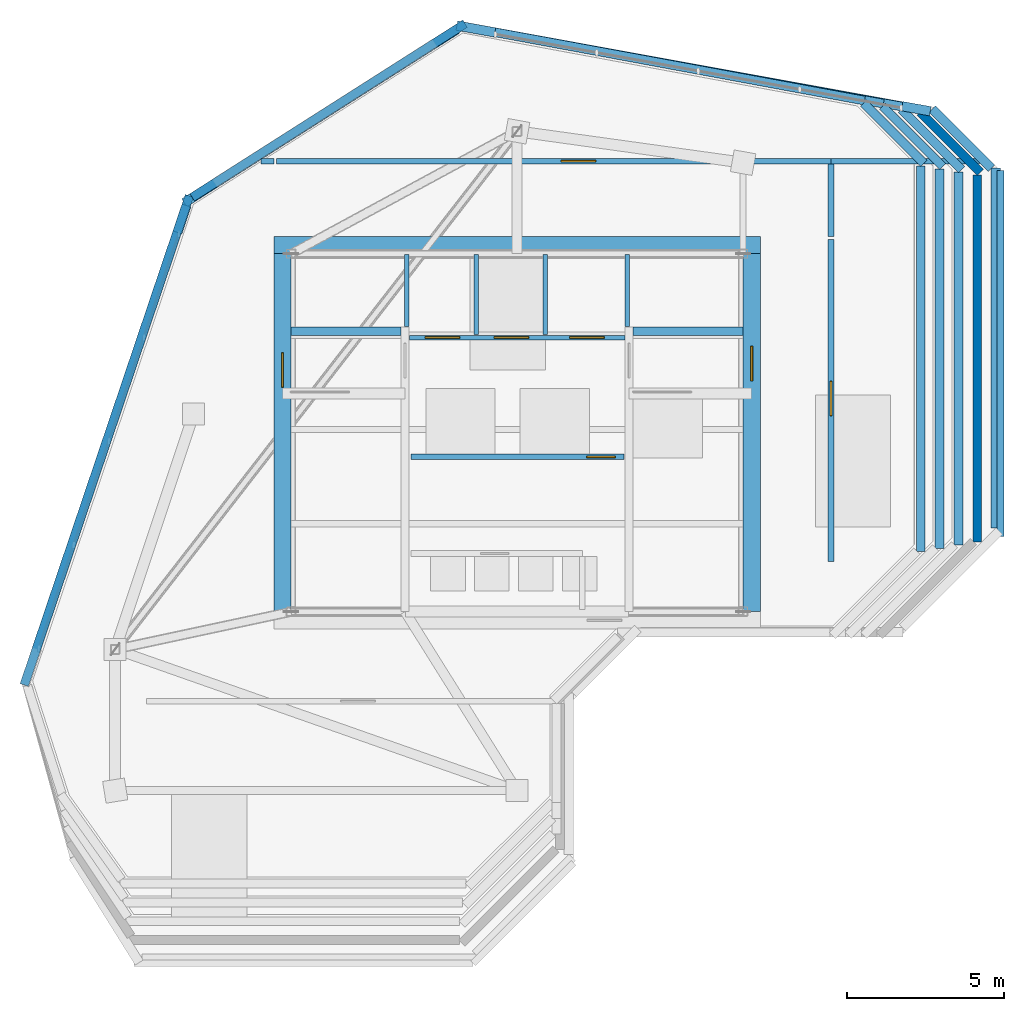
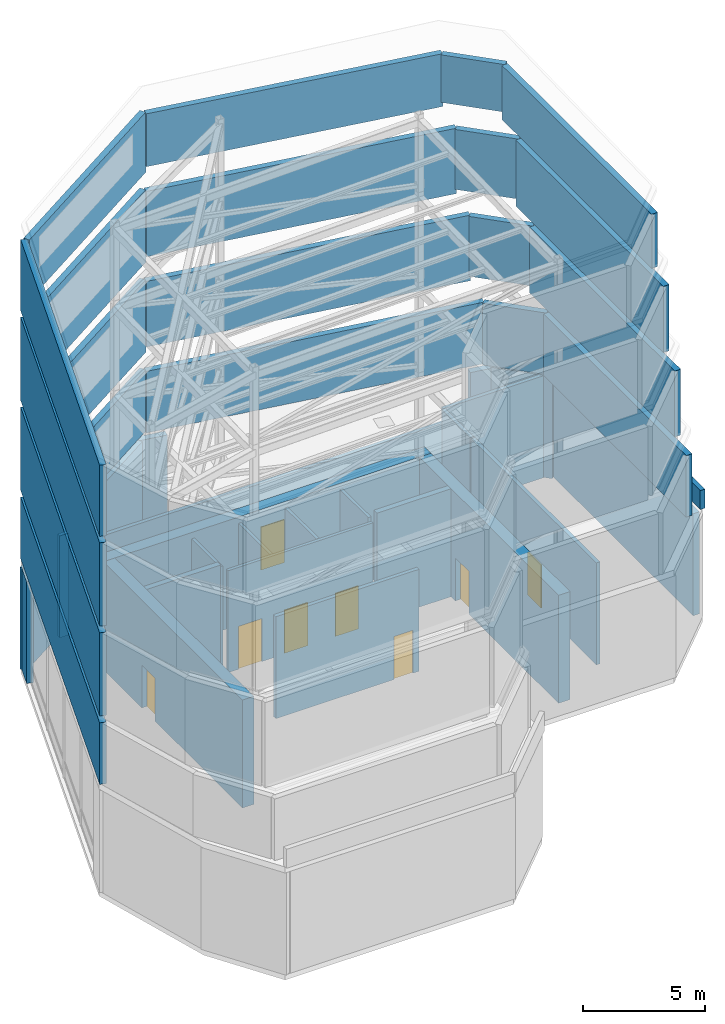
# One storey, part 7 of 9: 43 walls, 8 doors, 8 openings.
"""IFC4 building model written with IfcOpenShell, lengths in metres."""

import ifcopenshell
import ifcopenshell.guid

model = None  # the IFC model being written
_history = None  # IfcOwnerHistory: only IFC2X3 demands one
_inside = {}  # id of a spatial element -> (the spatial element, [elements in it])
_under = {}  # id of a project, library or spatial element -> (it, [spatial elements below it])
_declared = {}  # id of a project -> (the project, [libraries it declares])
_typed = {}  # id of a type object -> (the type object, [elements of that type])
_made_of = {}  # id of a material, layer set ... -> (it, [elements and type objects made of it])


def new_model(schema):
    """Start an empty IFC model of exactly this schema.

    Asked for "IFC4X3", IfcOpenShell would pick the latest addendum, in which some entities
    have other attributes; the version numbers below select the first issue.
    IFC2X3 requires an IfcOwnerHistory on every rooted entity: one is made here for all.
    """
    global model, _history
    if schema == "IFC4X3":
        model = ifcopenshell.file(schema_version=(4, 3, 0, 0))
    else:
        model = ifcopenshell.file(schema=schema)
    _inside.clear()
    _under.clear()
    _declared.clear()
    _typed.clear()
    _made_of.clear()
    _history = None
    if model.schema == "IFC2X3":
        org = make("IfcOrganization", Name="unknown")
        user = make(
            "IfcPersonAndOrganization",
            ThePerson=make("IfcPerson", FamilyName="unknown"),
            TheOrganization=org,
        )
        app = make(
            "IfcApplication",
            ApplicationDeveloper=org,
            Version="unknown",
            ApplicationFullName="unknown",
            ApplicationIdentifier="unknown",
        )
        _history = make(
            "IfcOwnerHistory",
            OwningUser=user,
            OwningApplication=app,
            ChangeAction="ADDED",
            CreationDate=0,
        )
    return model


def make(cls, **values):
    """One entity of the class cls with the attributes given. An attribute that is None is left unset."""
    return model.create_entity(
        cls, **{name: value for name, value in values.items() if value is not None}
    )


def rooted(cls, **values):
    """An entity with a GlobalId (a new one), such as an element, a storey or a relation."""
    return make(cls, GlobalId=ifcopenshell.guid.new(), OwnerHistory=_history, **values)


def si_unit(unit_type, name, prefix=None):
    """IfcSIUnit, for example si_unit("LENGTHUNIT", "METRE", prefix="MILLI")."""
    return make("IfcSIUnit", UnitType=unit_type, Prefix=prefix, Name=name)


def assignment(units):
    """IfcUnitAssignment: the units of a project."""
    return None if units is None else make("IfcUnitAssignment", Units=units)


def point(xyz):
    """IfcCartesianPoint."""
    return None if xyz is None else make("IfcCartesianPoint", Coordinates=xyz)


def direction(xyz):
    """IfcDirection."""
    return None if xyz is None else make("IfcDirection", DirectionRatios=xyz)


def frame(location, z_axis=None, x_axis=None):
    """IfcAxis2Placement3D, a coordinate frame: its origin and axes. An axis left out is left unset."""
    return make(
        "IfcAxis2Placement3D",
        Location=point(location),
        Axis=direction(z_axis),
        RefDirection=direction(x_axis),
    )


def frame_2d(location, x_axis=None):
    """IfcAxis2Placement2D, a coordinate frame in the plane: its origin and x axis."""
    return make(
        "IfcAxis2Placement2D", Location=point(location), RefDirection=direction(x_axis)
    )


def origin():
    """The frame at (0, 0, 0) with its axes left unset."""
    return frame((0.0, 0.0, 0.0))


def place(relative_to, where):
    """IfcLocalPlacement: puts the frame where relative to a parent placement (None: the world)."""
    return make(
        "IfcLocalPlacement", PlacementRelTo=relative_to, RelativePlacement=where
    )


def context(
    kind, dimensions, precision=None, world=None, true_north=None, identifier=None
):
    """IfcGeometricRepresentationContext, for example the 3D "Model" context."""
    return make(
        "IfcGeometricRepresentationContext",
        ContextIdentifier=identifier,
        ContextType=kind,
        CoordinateSpaceDimension=dimensions,
        Precision=precision,
        WorldCoordinateSystem=world,
        TrueNorth=true_north,
    )


def subcontext(parent, identifier, kind, view, scale=None):
    """IfcGeometricRepresentationSubContext, for example "Body" below "Model"."""
    return make(
        "IfcGeometricRepresentationSubContext",
        ContextIdentifier=identifier,
        ContextType=kind,
        ParentContext=parent,
        TargetScale=scale,
        TargetView=view,
    )


def project(units=None, contexts=None):
    """IfcProject with its units and contexts."""
    return rooted(
        "IfcProject",
        Name="project",
        RepresentationContexts=contexts,
        UnitsInContext=assignment(units),
    )


def spatial(cls, under=None, at=None, **own):
    """A site, building, storey or space (cls), placed at a placement, below another one or the project."""
    s = rooted(cls, ObjectPlacement=at, **own)
    if under is not None:
        _under.setdefault(under.id(), (under, []))[1].append(s)
    return s


def profile(cls, at=None, kind="AREA", **sizes):
    """A parametric profile (cls). Its sizes go by their IFC names, for example OverallWidth=200.0."""
    return make(cls, ProfileType=kind, Position=at, **sizes)


def rectangle(**sizes):
    """IfcRectangleProfileDef."""
    return profile("IfcRectangleProfileDef", **sizes)


def extrude(swept, where, along, depth):
    """IfcExtrudedAreaSolid: the profile swept, set in the frame where, extruded along a direction by depth."""
    return make(
        "IfcExtrudedAreaSolid",
        SweptArea=swept,
        Position=where,
        ExtrudedDirection=direction(along),
        Depth=depth,
    )


def shape(context_of_items, identifier, shape_type, items):
    """IfcShapeRepresentation: the items that make up one representation, for example the "Body"."""
    return make(
        "IfcShapeRepresentation",
        ContextOfItems=context_of_items,
        RepresentationIdentifier=identifier,
        RepresentationType=shape_type,
        Items=items,
    )


def source(mapping_origin, context_of_items, identifier, shape_type, items):
    """IfcRepresentationMap: a shape defined once, which mapped items show again and again."""
    return make(
        "IfcRepresentationMap",
        MappingOrigin=mapping_origin,
        MappedRepresentation=shape(context_of_items, identifier, shape_type, items),
    )


def transform(
    local_origin,
    x_axis=None,
    y_axis=None,
    z_axis=None,
    scale=None,
    scale2=None,
    scale3=None,
    uniform=True,
):
    """IfcCartesianTransformationOperator3D, or its non-uniform kind. x_axis, y_axis, z_axis: its Axis1, 2, 3."""
    if uniform:
        return make(
            "IfcCartesianTransformationOperator3D",
            Axis1=direction(x_axis),
            Axis2=direction(y_axis),
            LocalOrigin=point(local_origin),
            Scale=scale,
            Axis3=direction(z_axis),
        )
    return make(
        "IfcCartesianTransformationOperator3DnonUniform",
        Axis1=direction(x_axis),
        Axis2=direction(y_axis),
        LocalOrigin=point(local_origin),
        Scale=scale,
        Axis3=direction(z_axis),
        Scale2=scale2,
        Scale3=scale3,
    )


def mapped(mapping_source, mapping_target):
    """IfcMappedItem: shows the shape of a source again, moved by a transform."""
    return make(
        "IfcMappedItem", MappingSource=mapping_source, MappingTarget=mapping_target
    )


def material(Name=None, Category=None):
    """IfcMaterial."""
    return make("IfcMaterial", Name=Name, Category=Category)


def layer(
    of_material, thickness, ventilated=None, Name=None, Category=None, Priority=None
):
    """IfcMaterialLayer: one layer of a wall or slab, of a material (None: an air gap)."""
    return make(
        "IfcMaterialLayer",
        Material=of_material,
        LayerThickness=thickness,
        IsVentilated=ventilated,
        Name=Name,
        Category=Category,
        Priority=Priority,
    )


def layer_set(layers, Name=None):
    """IfcMaterialLayerSet."""
    return make("IfcMaterialLayerSet", MaterialLayers=layers, LayerSetName=Name)


def made_of(thing, what):
    """Note that an element or type object is made of a material, layer set ...; save() writes the relation."""
    if what is not None:
        _made_of.setdefault(what.id(), (what, []))[1].append(thing)
    return thing


def type_object(cls, material=None, **own):
    """A type object (cls), such as IfcWallType, which elements share."""
    return made_of(rooted(cls, **own), material)


def element(
    cls,
    number,
    at=None,
    inside=None,
    cuts=None,
    type_object=None,
    material=None,
    context=None,
    identifier="Body",
    shape_type=None,
    held_by="IfcProductDefinitionShape",
    body=None,
    shapes=None,
    **own,
):
    """One element of the class cls, such as IfcWall. Its Tag is "e" and its number.

    at: its placement. inside: the storey or other place that contains it. cuts: it is an
    opening in that element (IfcRelVoidsElement). A single representation is given by context,
    identifier, shape_type and body (its items); several are given by shapes. held_by: the class
    of the entity that holds the representations. save() writes the other relations.
    """
    e = rooted(cls, Tag="e%d" % number, ObjectPlacement=at, **own)
    if body is not None:
        shapes = [shape(context, identifier, shape_type, body)]
    if shapes is not None:
        e.Representation = make(held_by, Representations=shapes)
    if inside is not None:
        _inside.setdefault(inside.id(), (inside, []))[1].append(e)
    if cuts is not None:
        rooted(
            "IfcRelVoidsElement", RelatingBuildingElement=cuts, RelatedOpeningElement=e
        )
    if type_object is not None:
        _typed.setdefault(type_object.id(), (type_object, []))[1].append(e)
    return made_of(e, material)


def fill(opening, filler):
    """IfcRelFillsElement: the door or window that sits in an opening."""
    return rooted(
        "IfcRelFillsElement",
        RelatingOpeningElement=opening,
        RelatedBuildingElement=filler,
    )


def aggregate(whole, parts):
    """IfcRelAggregates: a whole, such as a stair, and the parts it consists of."""
    return rooted("IfcRelAggregates", RelatingObject=whole, RelatedObjects=parts)


def save(model, path):
    """Write the relations noted so far, then the file.

    IfcRelAggregates (storeys below a building ...), IfcRelContainedInSpatialStructure (elements
    in a storey), IfcRelDefinesByType, IfcRelAssociatesMaterial and IfcRelDeclares: one each for
    every whole, place, type object, material and project.
    """
    for whole, parts in _under.values():
        aggregate(whole, parts)
    for where, things in _inside.values():
        rooted(
            "IfcRelContainedInSpatialStructure",
            RelatedElements=things,
            RelatingStructure=where,
        )
    for kind, things in _typed.values():
        rooted("IfcRelDefinesByType", RelatedObjects=things, RelatingType=kind)
    for what, things in _made_of.values():
        rooted("IfcRelAssociatesMaterial", RelatedObjects=things, RelatingMaterial=what)
    for by, libraries in _declared.values():
        rooted("IfcRelDeclares", RelatingContext=by, RelatedDefinitions=libraries)
    model.write(path)


model = new_model("IFC4")

# Units and contexts
model_context = context("Model", 3, precision=1e-05, world=origin(), true_north=direction((0.0, 1.0)))
body_context = subcontext(model_context, "Body", "Model", "MODEL_VIEW")
ifc_project = project(units=[si_unit("LENGTHUNIT", "METRE"), si_unit("AREAUNIT", "SQUARE_METRE"), si_unit("VOLUMEUNIT", "CUBIC_METRE"), si_unit("PLANEANGLEUNIT", "RADIAN"), si_unit("MASSUNIT", "GRAM", prefix="KILO")], contexts=[model_context])

# Site, building, storey
site_placement = place(None, origin())
site = spatial("IfcSite", under=ifc_project, at=site_placement, CompositionType="ELEMENT")
building_placement = place(site_placement, origin())
building = spatial("IfcBuilding", under=site, at=building_placement, Name="Calvemar Wedge Station Tower", CompositionType="ELEMENT")
storey_placement = place(building_placement, frame((0.0, 0.0, 309.5)))
storey = spatial("IfcBuildingStorey", under=building, at=storey_placement, Name="L79", CompositionType="ELEMENT", Elevation=309.5)

# Walls
ifc_material_1 = material(Name="Concrete C50", Category="concrete")
ifc_layer_1 = layer(ifc_material_1, 0.260009765625)
ifc_layer_set_1 = layer_set([ifc_layer_1], Name="Concrete C50")
wall_type_1 = type_object("IfcWallType", Name="SW-CORE-260", PredefinedType="SHEAR", material=ifc_layer_set_1)
for number, where, z_axis, x_axis, name in (
    (1, (16.60009765625, 43.1298828125, 0.0), (0.0, 0.0, 1.0), (1.0, 0.0, 0.0), "Storey L79 Core Shear Wall STC1-N"),
    (2, (27.5, 43.1298828125, 0.0), (0.0, 0.0, 1.0), (1.0, 0.0, 0.0), "Storey L79 Core Shear Wall STC2-N"),
):
    element("IfcWall", number, at=place(storey_placement, frame(where, z_axis=z_axis, x_axis=x_axis)), inside=storey, type_object=wall_type_1, Name=name, PredefinedType="SHEAR", context=body_context, shape_type="SweptSolid", body=[
        extrude(rectangle(XDim=3.5, YDim=0.260009765625, at=frame_2d((1.75, 0.0))), origin(), (0.0, 0.0, 1.0), 5.39990234375),
    ])
ifc_material_2 = material(Name="Concrete C60", Category="concrete")
ifc_layer_2 = layer(ifc_material_2, 0.550048828125)
ifc_layer_set_2 = layer_set([ifc_layer_2], Name="Concrete C60")
wall_type_2 = type_object("IfcWallType", Name="SW-CORE-550", PredefinedType="SHEAR", material=ifc_layer_set_2)
wall_1_placement = place(storey_placement, frame((16.050048828125, 45.875, 0.0), z_axis=(0.0, 0.0, 1.0), x_axis=(1.0, 0.0, 0.0)))
element("IfcWall", 3, at=wall_1_placement, inside=storey, type_object=wall_type_2, Name="Storey L79 Core Shear Wall N", PredefinedType="SHEAR", context=body_context, shape_type="SweptSolid", body=[
    extrude(rectangle(XDim=15.5, YDim=0.550048828125, at=frame_2d((7.75, 0.0))), origin(), (0.0, 0.0, 1.0), 5.39990234375),
])

# Wall, opening, door
wall_2_placement = place(storey_placement, frame((16.324951171875, 34.199951171875, 0.0), z_axis=(0.0, 0.0, 1.0), x_axis=(0.0, 1.0, 0.0)))
wall_2 = element("IfcWall", 4, at=wall_2_placement, inside=storey, type_object=wall_type_2, Name="Storey L79 Core Shear Wall W", PredefinedType="SHEAR", context=body_context, shape_type="SweptSolid", body=[
    extrude(rectangle(XDim=11.400146484375, YDim=0.550048828125, at=frame_2d((5.7001953125, 0.0))), origin(), (0.0, 0.0, 1.0), 5.39990234375),
])
shared_shape_1 = source(origin(), body_context, "Body", "SweptSolid", [
    extrude(rectangle(XDim=1.10009765625, YDim=2.14990234375, at=frame_2d((0.550048828125, 1.074951171875))), frame((0.0, 0.28515625, 0.0), z_axis=(0.0, -1.0, 0.0), x_axis=(1.0, 0.0, 0.0)), (0.0, 0.0, 1.0), 0.570068359375),
])
opening_1_placement = place(wall_2_placement, frame((7.14990234375, 0.0, 0.0)))
opening_1 = element("IfcOpeningElement", 5, at=opening_1_placement, cuts=wall_2, Name="Opening FD-90", PredefinedType="OPENING", context=body_context, shape_type="MappedRepresentation", body=[
    mapped(shared_shape_1, transform((0.0, 0.0, 0.0), scale=1.0)),
])
ifc_material_3 = material(Name="Galvanized fire-rated steel door leaf P-90", Category="steel")
door_type_1 = type_object("IfcDoorType", Name="DR-FD90-1100", OperationType="NOTDEFINED", PredefinedType="DOOR", material=ifc_material_3)
shared_shape_2 = source(origin(), body_context, "Body", "SweptSolid", [
    extrude(rectangle(XDim=1.10009765625, YDim=2.14990234375, at=frame_2d((0.550048828125, 1.074951171875))), frame((0.0, 0.02490234375, 0.0), z_axis=(0.0, -1.0, 0.0), x_axis=(1.0, 0.0, 0.0)), (0.0, 0.0, 1.0), 0.050048828125),
])
door_1_placement = place(opening_1_placement, origin())
door_1 = element("IfcDoor", 6, at=door_1_placement, inside=storey, type_object=door_type_1, Name="L79 West Corridor to Exit Stair ST-C1 Door", OperationType="SINGLE_SWING_LEFT", OverallHeight=2.14990234375, OverallWidth=1.10009765625, PredefinedType="DOOR", context=body_context, shape_type="MappedRepresentation", body=[
    mapped(shared_shape_2, transform((0.0, 0.0, 0.0), scale=1.0)),
])
fill(opening_1, door_1)

wall_3_placement = place(storey_placement, frame((31.27490234375, 34.199951171875, 0.0), z_axis=(0.0, 0.0, 1.0), x_axis=(0.0, 1.0, 0.0)))
wall_3 = element("IfcWall", 7, at=wall_3_placement, inside=storey, type_object=wall_type_2, Name="Storey L79 Core Shear Wall E", PredefinedType="SHEAR", context=body_context, shape_type="SweptSolid", body=[
    extrude(rectangle(XDim=11.400146484375, YDim=0.550048828125, at=frame_2d((5.7001953125, 0.0))), origin(), (0.0, 0.0, 1.0), 5.39990234375),
])
opening_2_placement = place(wall_3_placement, frame((7.35009765625, 0.0, 0.0)))
opening_2 = element("IfcOpeningElement", 8, at=opening_2_placement, cuts=wall_3, Name="Opening FD-90", PredefinedType="OPENING", context=body_context, shape_type="MappedRepresentation", body=[
    mapped(shared_shape_1, transform((0.0, 0.0, 0.0), scale=1.0)),
])
door_2_placement = place(opening_2_placement, origin())
door_2 = element("IfcDoor", 9, at=door_2_placement, inside=storey, type_object=door_type_1, Name="L79 East Corridor to Exit Stair ST-C2 Door", OperationType="SINGLE_SWING_RIGHT", OverallHeight=2.14990234375, OverallWidth=1.10009765625, PredefinedType="DOOR", context=body_context, shape_type="MappedRepresentation", body=[
    mapped(shared_shape_2, transform((0.0, 0.0, 0.0), scale=1.0)),
])
fill(opening_2, door_2)

ifc_material_4 = material(Name="Double-stud fire-rated corridor partition")
ifc_layer_3 = layer(ifc_material_4, 0.179931640625)
ifc_layer_set_3 = layer_set([ifc_layer_3], Name="Double-stud fire-rated corridor partition")
wall_type_3 = type_object("IfcWallType", Name="W-CORR-180", PredefinedType="PARTITIONING", material=ifc_layer_set_3)
wall_4_placement = place(storey_placement, frame((27.199951171875, 39.1298828125, 0.0), z_axis=(0.0, 0.0, 1.0), x_axis=(-1.0, 0.0, 0.0)))
wall_4 = element("IfcWall", 10, at=wall_4_placement, inside=storey, type_object=wall_type_3, Name="Storey L79 Interior Partition WL-L79-001", PredefinedType="PARTITIONING", context=body_context, shape_type="SweptSolid", body=[
    extrude(rectangle(XDim=6.780029296875, YDim=0.179931640625, at=frame_2d((3.39013671875, 0.0))), origin(), (0.0, 0.0, 1.0), 5.10009765625),
])
shared_shape_3 = source(origin(), body_context, "Body", "SweptSolid", [
    extrude(rectangle(XDim=0.89990234375, YDim=2.14990234375, at=frame_2d((0.449951171875, 1.074951171875))), frame((0.0, 0.10009765625, 0.0), z_axis=(0.0, -1.0, 0.0), x_axis=(1.0, 0.0, 0.0)), (0.0, 0.0, 1.0), 0.199951171875),
])
opening_3_placement = place(wall_4_placement, frame((0.280029296875, 0.0, 0.0)))
opening_3 = element("IfcOpeningElement", 11, at=opening_3_placement, cuts=wall_4, Name="Opening FD-60", PredefinedType="OPENING", context=body_context, shape_type="MappedRepresentation", body=[
    mapped(shared_shape_3, transform((0.0, 0.0, 0.0), scale=1.0)),
])
ifc_material_5 = material(Name="Fire-rated acoustic timber-core entrance door EI 60", Category="wood")
door_type_2 = type_object("IfcDoorType", Name="DR-FD60-900", OperationType="NOTDEFINED", PredefinedType="DOOR", material=ifc_material_5)
shared_shape_4 = source(origin(), body_context, "Body", "SweptSolid", [
    extrude(rectangle(XDim=0.89990234375, YDim=2.14990234375, at=frame_2d((0.449951171875, 1.074951171875))), frame((0.0, 0.02490234375, 0.0), z_axis=(0.0, -1.0, 0.0), x_axis=(1.0, 0.0, 0.0)), (0.0, 0.0, 1.0), 0.050048828125),
])
door_3_placement = place(opening_3_placement, origin())
door_3 = element("IfcDoor", 12, at=door_3_placement, inside=storey, type_object=door_type_2, Name="L79 Core Service Lobby Door", OperationType="SINGLE_SWING_RIGHT", OverallHeight=2.14990234375, OverallWidth=0.89990234375, PredefinedType="DOOR", context=body_context, shape_type="MappedRepresentation", body=[
    mapped(shared_shape_4, transform((0.0, 0.0, 0.0), scale=1.0)),
])
fill(opening_3, door_3)

# Wall
wall_5_placement = place(storey_placement, frame((15.639892578125, 48.550048828125, 0.0), z_axis=(0.0, 0.0, 1.0), x_axis=(1.0, 0.0, 0.0)))
element("IfcWall", 13, at=wall_5_placement, inside=storey, type_object=wall_type_3, Name="Storey L79 Interior Partition WL-L79-005", PredefinedType="PARTITIONING", context=body_context, shape_type="SweptSolid", body=[
    extrude(rectangle(XDim=0.41015625, YDim=0.179931640625, at=frame_2d((0.205078125, 0.0))), origin(), (0.0, 0.0, 1.0), 5.10009765625),
])

# Wall, opening, door
wall_6_placement = place(storey_placement, frame((16.14404296875, 48.550048828125, 0.0), z_axis=(0.0, 0.0, 1.0), x_axis=(1.0, 0.0, 0.0)))
wall_6 = element("IfcWall", 14, at=wall_6_placement, inside=storey, type_object=wall_type_3, Name="Storey L79 Interior Partition WL-L79-006", PredefinedType="PARTITIONING", context=body_context, shape_type="SweptSolid", body=[
    extrude(rectangle(XDim=17.656005859375, YDim=0.179931640625, at=frame_2d((8.828125, 0.0))), origin(), (0.0, 0.0, 1.0), 4.39208984375),
])
shared_shape_5 = source(origin(), body_context, "Body", "SweptSolid", [
    extrude(rectangle(XDim=1.10009765625, YDim=2.14990234375, at=frame_2d((0.550048828125, 1.074951171875))), frame((0.0, 0.10009765625, 0.0), z_axis=(0.0, -1.0, 0.0), x_axis=(1.0, 0.0, 0.0)), (0.0, 0.0, 1.0), 0.199951171875),
])
opening_4_placement = place(wall_6_placement, frame((9.059814453125, 0.0, 0.0)))
opening_4 = element("IfcOpeningElement", 15, at=opening_4_placement, cuts=wall_6, Name="Opening FD-90", PredefinedType="OPENING", context=body_context, shape_type="MappedRepresentation", body=[
    mapped(shared_shape_5, transform((0.0, 0.0, 0.0), scale=1.0)),
])
door_4_placement = place(opening_4_placement, origin())
door_4 = element("IfcDoor", 16, at=door_4_placement, inside=storey, type_object=door_type_1, Name="L79 Crown Cooling Recovery Plant Room Door", OperationType="SINGLE_SWING_RIGHT", OverallHeight=2.14990234375, OverallWidth=1.10009765625, PredefinedType="DOOR", context=body_context, shape_type="MappedRepresentation", body=[
    mapped(shared_shape_2, transform((0.0, 0.0, 0.0), scale=1.0)),
])
fill(opening_4, door_4)

# Wall
wall_7_placement = place(storey_placement, frame((33.800048828125, 48.4560546875, 0.0), z_axis=(0.0, 0.0, 1.0), x_axis=(0.0, -1.0, 0.0)))
element("IfcWall", 17, at=wall_7_placement, inside=storey, type_object=wall_type_3, Name="Storey L79 Interior Partition WL-L79-007", PredefinedType="PARTITIONING", context=body_context, shape_type="SweptSolid", body=[
    extrude(rectangle(XDim=2.30615234375, YDim=0.179931640625, at=frame_2d((1.153076171875, 0.0))), origin(), (0.0, 0.0, 1.0), 5.10009765625),
])

# Wall, opening, door
wall_8_placement = place(storey_placement, frame((33.800048828125, 46.055908203125, 0.0), z_axis=(0.0, 0.0, 1.0), x_axis=(0.0, -1.0, 0.0)))
wall_8 = element("IfcWall", 18, at=wall_8_placement, inside=storey, type_object=wall_type_3, Name="Storey L79 Interior Partition WL-L79-008", PredefinedType="PARTITIONING", context=body_context, shape_type="SweptSolid", body=[
    extrude(rectangle(XDim=10.255859375, YDim=0.179931640625, at=frame_2d((5.1279296875, 0.0))), origin(), (0.0, 0.0, 1.0), 5.10009765625),
])
opening_5_placement = place(wall_8_placement, frame((4.517578125, 0.0, 0.0)))
opening_5 = element("IfcOpeningElement", 19, at=opening_5_placement, cuts=wall_8, Name="Opening FD-90", PredefinedType="OPENING", context=body_context, shape_type="MappedRepresentation", body=[
    mapped(shared_shape_5, transform((0.0, 0.0, 0.0), scale=1.0)),
])
door_5_placement = place(opening_5_placement, origin())
door_5 = element("IfcDoor", 20, at=door_5_placement, inside=storey, type_object=door_type_1, Name="L79 Crown Telemetry Control Room Door", OperationType="SINGLE_SWING_RIGHT", OverallHeight=2.14990234375, OverallWidth=1.10009765625, PredefinedType="DOOR", context=body_context, shape_type="MappedRepresentation", body=[
    mapped(shared_shape_2, transform((0.0, 0.0, 0.0), scale=1.0)),
])
fill(opening_5, door_5)

# Walls
wall_9_placement = place(storey_placement, frame((38.523193359375, 48.550048828125, 0.0), z_axis=(0.0, 0.0, 1.0), x_axis=(-1.0, 0.0, 0.0)))
element("IfcWall", 21, at=wall_9_placement, inside=storey, type_object=wall_type_3, Name="Storey L79 Interior Partition WL-L79-009", PredefinedType="PARTITIONING", context=body_context, shape_type="SweptSolid", body=[
    extrude(rectangle(XDim=4.72119140625, YDim=0.179931640625, at=frame_2d((2.360595703125, 0.0))), origin(), (0.0, 0.0, 1.0), 5.10009765625),
])
ifc_material_6 = material(Name="Precast concrete C45", Category="concrete")
ifc_layer_4 = layer(ifc_material_6, 0.280029296875)
ifc_layer_set_4 = layer_set([ifc_layer_4], Name="Precast concrete C45")
wall_type_4 = type_object("IfcWallType", Name="W-CROWN-280", PredefinedType="SOLIDWALL", material=ifc_layer_set_4)
wall_10_placement = place(storey_placement, frame((8.101806640625, 31.86376953125, 5.39990234375), z_axis=(0.0, 0.0, 1.0), x_axis=(0.319909448343, 0.947448122517, 0.0)))
element("IfcWall", 22, at=wall_10_placement, inside=storey, type_object=wall_type_4, Name="Stepped Crown Tier 1 Bronze GFRC Screen Wall 1", PredefinedType="SOLIDWALL", context=body_context, shape_type="SweptSolid", body=[
    extrude(rectangle(XDim=16.44140625, YDim=0.280029296875, at=frame_2d((8.220703125, 0.0))), origin(), (0.0, 0.0, 1.0), 3.080078125),
])
wall_11_placement = place(storey_placement, frame((13.452392578125, 47.39453125, 5.39990234375), z_axis=(0.0, 0.0, 1.0), x_axis=(0.843659536814, 0.536878557909, 0.0)))
element("IfcWall", 23, at=wall_11_placement, inside=storey, type_object=wall_type_4, Name="Stepped Crown Tier 1 Bronze GFRC Screen Wall 2", PredefinedType="SOLIDWALL", context=body_context, shape_type="SweptSolid", body=[
    extrude(rectangle(XDim=10.305908203125, YDim=0.280029296875, at=frame_2d((5.15283203125, 0.0))), origin(), (0.0, 0.0, 1.0), 3.080078125),
])
wall_12_placement = place(storey_placement, frame((22.1962890625, 52.822021484375, 5.39990234375), z_axis=(0.0, 0.0, 1.0), x_axis=(0.983851583125, -0.178986207243, 0.0)))
element("IfcWall", 24, at=wall_12_placement, inside=storey, type_object=wall_type_4, Name="Stepped Crown Tier 1 Bronze GFRC Screen Wall 3", PredefinedType="SOLIDWALL", context=body_context, shape_type="SweptSolid", body=[
    extrude(rectangle(XDim=14.7109375, YDim=0.280029296875, at=frame_2d((7.35546875, 0.0))), origin(), (0.0, 0.0, 1.0), 3.080078125),
])
wall_13_placement = place(storey_placement, frame((36.639404296875, 50.106689453125, 5.39990234375), z_axis=(0.0, 0.0, 1.0), x_axis=(0.707106781187, -0.707106781187, 0.0)))
element("IfcWall", 25, at=wall_13_placement, inside=storey, type_object=wall_type_4, Name="Stepped Crown Tier 1 Bronze GFRC Screen Wall 4", PredefinedType="SOLIDWALL", context=body_context, shape_type="SweptSolid", body=[
    extrude(rectangle(XDim=2.71484375, YDim=0.280029296875, at=frame_2d((1.357421875, 0.0))), origin(), (0.0, 0.0, 1.0), 3.080078125),
])
wall_14_placement = place(storey_placement, frame((38.4599609375, 48.109130859375, 5.39990234375), z_axis=(0.0, 0.0, 1.0), x_axis=(0.0, -1.0, 0.0)))
element("IfcWall", 26, at=wall_14_placement, inside=storey, type_object=wall_type_4, Name="Stepped Crown Tier 1 Bronze GFRC Screen Wall 5", PredefinedType="SOLIDWALL", context=body_context, shape_type="SweptSolid", body=[
    extrude(rectangle(XDim=11.691162109375, YDim=0.280029296875, at=frame_2d((5.845703125, 0.0))), origin(), (0.0, 0.0, 1.0), 3.080078125),
])
wall_15_placement = place(storey_placement, frame((8.10205078125, 31.864501953125, 8.822021484375), z_axis=(0.0, 0.0, 1.0), x_axis=(0.319909621118, 0.947448064179, 0.0)))
element("IfcWall", 27, at=wall_15_placement, inside=storey, type_object=wall_type_4, Name="Stepped Crown Tier 2 Bronze GFRC Screen Wall 1", PredefinedType="SOLIDWALL", context=body_context, shape_type="SweptSolid", body=[
    extrude(rectangle(XDim=16.440673828125, YDim=0.280029296875, at=frame_2d((8.22021484375, 0.0))), origin(), (0.0, 0.0, 1.0), 4.157958984375),
])
wall_16_placement = place(storey_placement, frame((13.452392578125, 47.39453125, 9.345703125), z_axis=(0.0, 0.0, 1.0), x_axis=(0.843659536814, 0.536878557909, 0.0)))
element("IfcWall", 28, at=wall_16_placement, inside=storey, type_object=wall_type_4, Name="Stepped Crown Tier 2 Bronze GFRC Screen Wall 2", PredefinedType="SOLIDWALL", context=body_context, shape_type="SweptSolid", body=[
    extrude(rectangle(XDim=10.305908203125, YDim=0.280029296875, at=frame_2d((5.15283203125, 0.0))), origin(), (0.0, 0.0, 1.0), 3.63427734375),
])
wall_17_placement = place(storey_placement, frame((22.196533203125, 52.82177734375, 9.700927734375), z_axis=(0.0, 0.0, 1.0), x_axis=(0.983688540357, -0.179880114438, 0.0)))
element("IfcWall", 29, at=wall_17_placement, inside=storey, type_object=wall_type_4, Name="Stepped Crown Tier 2 Bronze GFRC Screen Wall 3", PredefinedType="SOLIDWALL", context=body_context, shape_type="SweptSolid", body=[
    extrude(rectangle(XDim=14.10302734375, YDim=0.280029296875, at=frame_2d((7.051513671875, 0.0))), origin(), (0.0, 0.0, 1.0), 3.279052734375),
])
wall_18_placement = place(storey_placement, frame((36.039306640625, 50.20263671875, 9.982421875), z_axis=(0.0, 0.0, 1.0), x_axis=(0.707106781187, -0.707106781187, 0.0)))
element("IfcWall", 30, at=wall_18_placement, inside=storey, type_object=wall_type_4, Name="Stepped Crown Tier 2 Bronze GFRC Screen Wall 4", PredefinedType="SOLIDWALL", context=body_context, shape_type="SweptSolid", body=[
    extrude(rectangle(XDim=2.71484375, YDim=0.280029296875, at=frame_2d((1.357421875, 0.0))), origin(), (0.0, 0.0, 1.0), 2.99755859375),
])
wall_19_placement = place(storey_placement, frame((37.860107421875, 48.205078125, 9.679931640625), z_axis=(0.0, 0.0, 1.0), x_axis=(0.0, -1.0, 0.0)))
element("IfcWall", 31, at=wall_19_placement, inside=storey, type_object=wall_type_4, Name="Stepped Crown Tier 2 Bronze GFRC Screen Wall 5", PredefinedType="SOLIDWALL", context=body_context, shape_type="SweptSolid", body=[
    extrude(rectangle(XDim=11.886962890625, YDim=0.280029296875, at=frame_2d((5.943359375, 0.0))), origin(), (0.0, 0.0, 1.0), 3.300048828125),
])
wall_20_placement = place(storey_placement, frame((8.102294921875, 31.865234375, 13.3115234375), z_axis=(0.0, 0.0, 1.0), x_axis=(0.31990979391, 0.947448005835, 0.0)))
element("IfcWall", 32, at=wall_20_placement, inside=storey, type_object=wall_type_4, Name="Stepped Crown Tier 3 Bronze GFRC Screen Wall 1", PredefinedType="SOLIDWALL", context=body_context, shape_type="SweptSolid", body=[
    extrude(rectangle(XDim=16.43994140625, YDim=0.280029296875, at=frame_2d((8.219970703125, 0.0))), origin(), (0.0, 0.0, 1.0), 4.16845703125),
])
wall_21_placement = place(storey_placement, frame((13.452392578125, 47.39453125, 13.845458984375), z_axis=(0.0, 0.0, 1.0), x_axis=(0.843659536814, 0.536878557909, 0.0)))
element("IfcWall", 33, at=wall_21_placement, inside=storey, type_object=wall_type_4, Name="Stepped Crown Tier 3 Bronze GFRC Screen Wall 2", PredefinedType="SOLIDWALL", context=body_context, shape_type="SweptSolid", body=[
    extrude(rectangle(XDim=10.305908203125, YDim=0.280029296875, at=frame_2d((5.15283203125, 0.0))), origin(), (0.0, 0.0, 1.0), 3.634521484375),
])
wall_22_placement = place(storey_placement, frame((22.196533203125, 52.821533203125, 14.2080078125), z_axis=(0.0, 0.0, 1.0), x_axis=(0.98351047654, -0.180851161277, 0.0)))
element("IfcWall", 34, at=wall_22_placement, inside=storey, type_object=wall_type_4, Name="Stepped Crown Tier 3 Bronze GFRC Screen Wall 3", PredefinedType="SOLIDWALL", context=body_context, shape_type="SweptSolid", body=[
    extrude(rectangle(XDim=13.495361328125, YDim=0.280029296875, at=frame_2d((6.74755859375, 0.0))), origin(), (0.0, 0.0, 1.0), 3.27197265625),
])
wall_23_placement = place(storey_placement, frame((35.439208984375, 50.298828125, 14.48193359375), z_axis=(0.0, 0.0, 1.0), x_axis=(0.707061818431, -0.707151741083, 0.0)))
element("IfcWall", 35, at=wall_23_placement, inside=storey, type_object=wall_type_4, Name="Stepped Crown Tier 3 Bronze GFRC Screen Wall 4", PredefinedType="SOLIDWALL", context=body_context, shape_type="SweptSolid", body=[
    extrude(rectangle(XDim=2.715087890625, YDim=0.280029296875, at=frame_2d((1.357421875, 0.0))), origin(), (0.0, 0.0, 1.0), 2.998046875),
])
wall_24_placement = place(storey_placement, frame((37.260009765625, 48.30126953125, 14.16845703125), z_axis=(0.0, 0.0, 1.0), x_axis=(0.0, -1.0, 0.0)))
element("IfcWall", 36, at=wall_24_placement, inside=storey, type_object=wall_type_4, Name="Stepped Crown Tier 3 Bronze GFRC Screen Wall 5", PredefinedType="SOLIDWALL", context=body_context, shape_type="SweptSolid", body=[
    extrude(rectangle(XDim=12.083251953125, YDim=0.280029296875, at=frame_2d((6.04150390625, 0.0))), origin(), (0.0, 0.0, 1.0), 3.3115234375),
])
wall_25_placement = place(storey_placement, frame((8.1025390625, 31.8662109375, 17.800537109375), z_axis=(0.0, 0.0, 1.0), x_axis=(0.319914468152, 0.947446427545, 0.0)))
element("IfcWall", 37, at=wall_25_placement, inside=storey, type_object=wall_type_4, Name="Stepped Crown Tier 4 Bronze GFRC Screen Wall 1", PredefinedType="SOLIDWALL", context=body_context, shape_type="SweptSolid", body=[
    extrude(rectangle(XDim=16.43896484375, YDim=0.280029296875, at=frame_2d((8.219482421875, 0.0))), origin(), (0.0, 0.0, 1.0), 3.5595703125),
])
wall_26_placement = place(storey_placement, frame((13.452392578125, 47.39453125, 18.345458984375), z_axis=(0.0, 0.0, 1.0), x_axis=(0.843652708338, 0.536889288135, 0.0)))
element("IfcWall", 38, at=wall_26_placement, inside=storey, type_object=wall_type_4, Name="Stepped Crown Tier 4 Bronze GFRC Screen Wall 2", PredefinedType="SOLIDWALL", context=body_context, shape_type="SweptSolid", body=[
    extrude(rectangle(XDim=10.3056640625, YDim=0.280029296875, at=frame_2d((5.15283203125, 0.0))), origin(), (0.0, 0.0, 1.0), 3.0146484375),
])
wall_27_placement = place(storey_placement, frame((22.196533203125, 52.8212890625, 18.715087890625), z_axis=(0.0, 0.0, 1.0), x_axis=(0.983314524721, -0.181913565942, 0.0)))
element("IfcWall", 39, at=wall_27_placement, inside=storey, type_object=wall_type_4, Name="Stepped Crown Tier 4 Bronze GFRC Screen Wall 3", PredefinedType="SOLIDWALL", context=body_context, shape_type="SweptSolid", body=[
    extrude(rectangle(XDim=12.887939453125, YDim=0.280029296875, at=frame_2d((6.44384765625, 0.0))), origin(), (0.0, 0.0, 1.0), 2.64501953125),
])
wall_28_placement = place(storey_placement, frame((34.839111328125, 50.39501953125, 18.981689453125), z_axis=(0.0, 0.0, 1.0), x_axis=(0.707106781187, -0.707106781187, 0.0)))
element("IfcWall", 40, at=wall_28_placement, inside=storey, type_object=wall_type_4, Name="Stepped Crown Tier 4 Bronze GFRC Screen Wall 4", PredefinedType="SOLIDWALL", context=body_context, shape_type="SweptSolid", body=[
    extrude(rectangle(XDim=2.715087890625, YDim=0.280029296875, at=frame_2d((1.357421875, 0.0))), origin(), (0.0, 0.0, 1.0), 2.37841796875),
])
wall_29_placement = place(storey_placement, frame((36.659912109375, 48.397216796875, 18.65673828125), z_axis=(0.0, 0.0, 1.0), x_axis=(0.0, -1.0, 0.0)))
element("IfcWall", 41, at=wall_29_placement, inside=storey, type_object=wall_type_4, Name="Stepped Crown Tier 4 Bronze GFRC Screen Wall 5", PredefinedType="SOLIDWALL", context=body_context, shape_type="SweptSolid", body=[
    extrude(rectangle(XDim=12.279296875, YDim=0.280029296875, at=frame_2d((6.1396484375, 0.0))), origin(), (0.0, 0.0, 1.0), 2.703369140625),
])
ifc_layer_5 = layer(ifc_material_6, 0.300048828125)
ifc_layer_set_5 = layer_set([ifc_layer_5], Name="Precast concrete C45")
wall_type_5 = type_object("IfcWallType", Name="W-EXT-GFRC-300", PredefinedType="SOLIDWALL", material=ifc_layer_set_5)
wall_30_placement = place(storey_placement, frame((39.050048828125, 36.857421875, 0.0), z_axis=(0.0, 0.0, 1.0), x_axis=(0.0, 1.0, 0.0)))
element("IfcWall", 42, at=wall_30_placement, inside=storey, type_object=wall_type_5, Name="Storey L79 Bronze GFRC Exterior Wall 8", PredefinedType="SOLIDWALL", context=body_context, shape_type="SweptSolid", body=[
    extrude(rectangle(XDim=11.478515625, YDim=0.300048828125, at=frame_2d((5.7392578125, 0.0))), origin(), (0.0, 0.0, 1.0), 5.10009765625),
])
wall_31_placement = place(storey_placement, frame((38.912109375, 48.323974609375, 0.0), z_axis=(0.0, 0.0, 1.0), x_axis=(-0.70715242601, 0.707061133417, 0.0)))
element("IfcWall", 43, at=wall_31_placement, inside=storey, type_object=wall_type_5, Name="Storey L79 Bronze GFRC Exterior Wall 9", PredefinedType="SOLIDWALL", context=body_context, shape_type="SweptSolid", body=[
    extrude(rectangle(XDim=2.67431640625, YDim=0.300048828125, at=frame_2d((1.337158203125, 0.0))), origin(), (0.0, 0.0, 1.0), 5.10009765625),
])
wall_32_placement = place(storey_placement, frame((36.9619140625, 50.138671875, 0.0), z_axis=(0.0, 0.0, 1.0), x_axis=(-0.98398107316, 0.178272958304, 0.0)))
element("IfcWall", 44, at=wall_32_placement, inside=storey, type_object=wall_type_5, Name="Storey L79 Bronze GFRC Corner Pier 10A", PredefinedType="SOLIDWALL", context=body_context, shape_type="SweptSolid", body=[
    extrude(rectangle(XDim=0.912109375, YDim=0.300048828125, at=frame_2d((0.4560546875, 0.0))), origin(), (0.0, 0.0, 1.0), 5.10009765625),
])
wall_33_placement = place(storey_placement, frame((23.09375, 52.6494140625, 0.0), z_axis=(0.0, 0.0, 1.0), x_axis=(-0.98399035309, 0.178221729947, 0.0)))
element("IfcWall", 45, at=wall_33_placement, inside=storey, type_object=wall_type_5, Name="Storey L79 Bronze GFRC Corner Pier 10B", PredefinedType="SOLIDWALL", context=body_context, shape_type="SweptSolid", body=[
    extrude(rectangle(XDim=1.230224609375, YDim=0.300048828125, at=frame_2d((0.615234375, 0.0))), origin(), (0.0, 0.0, 1.0), 5.10009765625),
])
wall_34_placement = place(storey_placement, frame((21.87255859375, 52.7412109375, 0.0), z_axis=(0.0, 0.0, 1.0), x_axis=(-0.843654643366, -0.536886247474, 0.0)))
element("IfcWall", 46, at=wall_34_placement, inside=storey, type_object=wall_type_5, Name="Storey L79 Bronze GFRC Exterior Wall 11", PredefinedType="SOLIDWALL", context=body_context, shape_type="SweptSolid", body=[
    extrude(rectangle(XDim=10.281494140625, YDim=0.300048828125, at=frame_2d((5.140625, 0.0))), origin(), (0.0, 0.0, 1.0), 5.10009765625),
])
wall_35_placement = place(storey_placement, frame((13.2685546875, 47.1337890625, 0.0), z_axis=(0.0, 0.0, 1.0), x_axis=(-0.31995770778, -0.947431826166, 0.0)))
element("IfcWall", 47, at=wall_35_placement, inside=storey, type_object=wall_type_5, Name="Storey L79 Bronze GFRC Corner Pier 12A", PredefinedType="SOLIDWALL", context=body_context, shape_type="SweptSolid", body=[
    extrude(rectangle(XDim=0.902587890625, YDim=0.300048828125, at=frame_2d((0.451171875, 0.0))), origin(), (0.0, 0.0, 1.0), 5.10009765625),
])

# Wall, openings, doors
ifc_material_7 = material(Name="Reinforced concrete blockwork lift shaft wall", Category="masonry")
ifc_layer_6 = layer(ifc_material_7, 0.139892578125)
ifc_layer_set_6 = layer_set([ifc_layer_6], Name="Reinforced concrete blockwork lift shaft wall")
wall_type_6 = type_object("IfcWallType", Name="W-LIFT-160", PredefinedType="SOLIDWALL", material=ifc_layer_set_6)
wall_36_placement = place(storey_placement, frame((20.3701171875, 42.929931640625, 0.0), z_axis=(0.0, 0.0, 1.0), x_axis=(1.0, 0.0, 0.0)))
wall_36 = element("IfcWall", 48, at=wall_36_placement, inside=storey, type_object=wall_type_6, Name="Storey L79 Firefighting and Service Lift Shaft Front Wall", PredefinedType="SOLIDWALL", context=body_context, shape_type="SweptSolid", body=[
    extrude(rectangle(XDim=6.85986328125, YDim=0.139892578125, at=frame_2d((3.429931640625, 0.0))), origin(), (0.0, 0.0, 1.0), 5.10009765625),
])
shared_shape_6 = source(origin(), body_context, "Body", "SweptSolid", [
    extrude(rectangle(XDim=1.10009765625, YDim=2.14990234375, at=frame_2d((0.550048828125, 1.074951171875))), frame((0.0, 0.080078125, 0.0), z_axis=(0.0, -1.0, 0.0), x_axis=(1.0, 0.0, 0.0)), (0.0, 0.0, 1.0), 0.159912109375),
])
opening_6_placement = place(wall_36_placement, frame((0.5, 0.0, 0.0)))
opening_6 = element("IfcOpeningElement", 49, at=opening_6_placement, cuts=wall_36, Name="Opening LD-FF", PredefinedType="OPENING", context=body_context, shape_type="MappedRepresentation", body=[
    mapped(shared_shape_6, transform((0.0, 0.0, 0.0), scale=1.0)),
])
opening_7_placement = place(wall_36_placement, frame((2.699951171875, 0.0, 0.0)))
opening_7 = element("IfcOpeningElement", 50, at=opening_7_placement, cuts=wall_36, Name="Opening LD-FF", PredefinedType="OPENING", context=body_context, shape_type="MappedRepresentation", body=[
    mapped(shared_shape_6, transform((0.0, 0.0, 0.0), scale=1.0)),
])
opening_8_placement = place(wall_36_placement, frame((5.10009765625, 0.0, 0.0)))
opening_8 = element("IfcOpeningElement", 51, at=opening_8_placement, cuts=wall_36, Name="Opening LD-STN", PredefinedType="OPENING", context=body_context, shape_type="MappedRepresentation", body=[
    mapped(shared_shape_6, transform((0.0, 0.0, 0.0), scale=1.0)),
])
ifc_material_8 = material(Name="Stainless steel firefighting lift sliding landing door", Category="steel")
door_type_3 = type_object("IfcDoorType", Name="DR-LD-FF-1100", OperationType="SLIDING_TO_LEFT", PredefinedType="DOOR", material=ifc_material_8)
shared_shape_7 = source(origin(), body_context, "Body", "SweptSolid", [
    extrude(rectangle(XDim=1.10009765625, YDim=2.14990234375, at=frame_2d((0.550048828125, 1.074951171875))), frame((0.0, 0.02490234375, 0.0), z_axis=(0.0, -1.0, 0.0), x_axis=(1.0, 0.0, 0.0)), (0.0, 0.0, 1.0), 0.050048828125),
])
door_6_placement = place(opening_6_placement, origin())
door_6 = element("IfcDoor", 52, at=door_6_placement, inside=storey, type_object=door_type_3, Name="L79 Lift FF-01 Sliding Landing Door", OperationType="SLIDING_TO_LEFT", OverallHeight=2.14990234375, OverallWidth=1.10009765625, PredefinedType="DOOR", context=body_context, shape_type="MappedRepresentation", body=[
    mapped(shared_shape_7, transform((0.0, 0.0, 0.0), scale=1.0)),
])
fill(opening_6, door_6)
door_7_placement = place(opening_7_placement, origin())
door_7 = element("IfcDoor", 53, at=door_7_placement, inside=storey, type_object=door_type_3, Name="L79 Lift FF-02 Sliding Landing Door", OperationType="SLIDING_TO_RIGHT", OverallHeight=2.14990234375, OverallWidth=1.10009765625, PredefinedType="DOOR", context=body_context, shape_type="MappedRepresentation", body=[
    mapped(shared_shape_7, transform((0.0, 0.0, 0.0), scale=1.0)),
])
fill(opening_7, door_7)
ifc_material_9 = material(Name="Stainless steel transit lift sliding landing door", Category="steel")
door_type_4 = type_object("IfcDoorType", Name="DR-LD-PAX-1100", OperationType="SLIDING_TO_LEFT", PredefinedType="DOOR", material=ifc_material_9)
shared_shape_8 = source(origin(), body_context, "Body", "SweptSolid", [
    extrude(rectangle(XDim=1.10009765625, YDim=2.14990234375, at=frame_2d((0.550048828125, 1.074951171875))), frame((0.0, 0.02490234375, 0.0), z_axis=(0.0, -1.0, 0.0), x_axis=(1.0, 0.0, 0.0)), (0.0, 0.0, 1.0), 0.050048828125),
])
door_8_placement = place(opening_8_placement, origin())
door_8 = element("IfcDoor", 54, at=door_8_placement, inside=storey, type_object=door_type_4, Name="L79 Lift SV-01 Sliding Landing Door", OperationType="SLIDING_TO_LEFT", OverallHeight=2.14990234375, OverallWidth=1.10009765625, PredefinedType="DOOR", context=body_context, shape_type="MappedRepresentation", body=[
    mapped(shared_shape_8, transform((0.0, 0.0, 0.0), scale=1.0)),
])
fill(opening_8, door_8)

# Walls
for number, where, z_axis, x_axis, name in (
    (55, (20.2900390625, 43.280029296875, 0.0), (0.0, 0.0, 1.0), (0.0, 1.0, 0.0), "Storey L79 Firefighting Lift Shaft Enclosure Wall W"),
    (56, (27.31005859375, 43.280029296875, 0.0), (0.0, 0.0, 1.0), (0.0, 1.0, 0.0), "Storey L79 Firefighting Lift Shaft Enclosure Wall E"),
):
    element("IfcWall", number, at=place(storey_placement, frame(where, z_axis=z_axis, x_axis=x_axis)), inside=storey, type_object=wall_type_6, Name=name, PredefinedType="SOLIDWALL", context=body_context, shape_type="SweptSolid", body=[
        extrude(rectangle(XDim=2.300048828125, YDim=0.139892578125, at=frame_2d((1.14990234375, 0.0))), origin(), (0.0, 0.0, 1.0), 5.10009765625),
    ])
for number, where, z_axis, x_axis, name in (
    (57, (22.5, 43.02001953125, 0.0), (0.0, 0.0, 1.0), (0.0, 1.0, 0.0), "Storey L79 Firefighting Lift Shaft Enclosure Wall D1"),
    (58, (24.699951171875, 43.02001953125, 0.0), (0.0, 0.0, 1.0), (0.0, 1.0, 0.0), "Storey L79 Firefighting Lift Shaft Enclosure Wall D2"),
):
    element("IfcWall", number, at=place(storey_placement, frame(where, z_axis=z_axis, x_axis=x_axis)), inside=storey, type_object=wall_type_6, Name=name, PredefinedType="SOLIDWALL", context=body_context, shape_type="SweptSolid", body=[
        extrude(rectangle(XDim=2.56005859375, YDim=0.139892578125, at=frame_2d((1.280029296875, 0.0))), origin(), (0.0, 0.0, 1.0), 5.10009765625),
    ])
ifc_layer_7 = layer(ifc_material_6, 0.219970703125)
ifc_layer_set_7 = layer_set([ifc_layer_7], Name="Precast concrete C45")
wall_type_7 = type_object("IfcWallType", Name="W-PARA-220", PredefinedType="PARAPET", material=ifc_layer_set_7)
wall_37_placement = place(storey_placement, frame((39.199951171875, 36.60009765625, 5.39990234375), z_axis=(0.0, 0.0, 1.0), x_axis=(0.0, 1.0, 0.0)))
element("IfcWall", 59, at=wall_37_placement, inside=storey, type_object=wall_type_7, Name="L79 Crown Deck Parapet Wall 9.1", PredefinedType="PARAPET", context=body_context, shape_type="SweptSolid", body=[
    extrude(rectangle(XDim=11.64794921875, YDim=0.219970703125, at=frame_2d((5.823974609375, 0.0))), origin(), (0.0, 0.0, 1.0), 0.9501953125),
])

save(model, "model.ifc")
